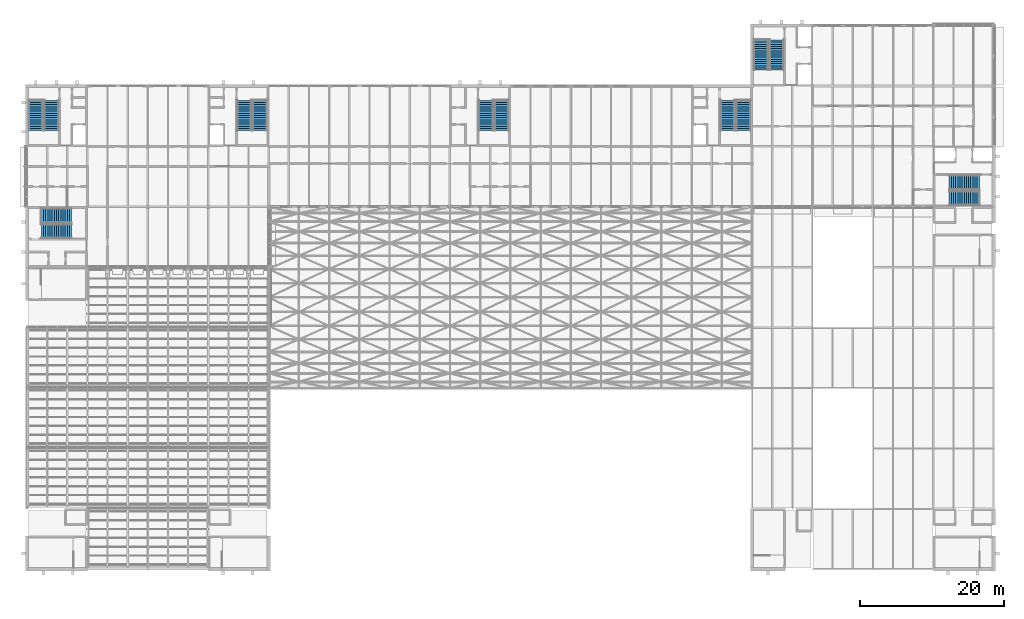
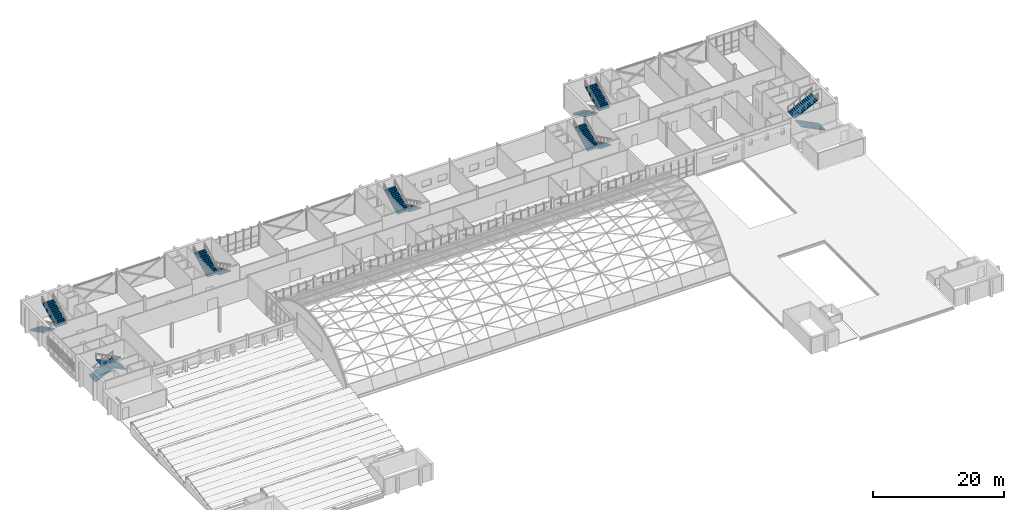
# One storey, part 92 of 121: 14 stair flights, 7 elements without a shape of their own.
"""IFC4 building model written with IfcOpenShell, lengths in metres."""

from ifc_helpers import new_model, si_unit, direction, frame, origin, place, context, subcontext, project, spatial, polyline, outline, extrude, material, type_object, element, aggregate, save


model = new_model("IFC4")

# Units and contexts
model_context = context("Model", 3, precision=1e-05, world=origin(), true_north=direction((0.0, 1.0)))
body_context = subcontext(model_context, "Body", "Model", "MODEL_VIEW")
ifc_project = project(units=[si_unit("LENGTHUNIT", "METRE"), si_unit("AREAUNIT", "SQUARE_METRE"), si_unit("VOLUMEUNIT", "CUBIC_METRE"), si_unit("PLANEANGLEUNIT", "RADIAN"), si_unit("MASSUNIT", "GRAM", prefix="KILO")], contexts=[model_context])

# Site, building, storey
site_placement = place(None, origin())
site = spatial("IfcSite", under=ifc_project, at=site_placement, CompositionType="ELEMENT")
building_placement = place(site_placement, origin())
building = spatial("IfcBuilding", under=site, at=building_placement, Name="Ardhachandra Cancer Care Centre", CompositionType="ELEMENT")
storey_placement = place(building_placement, frame((0.0, 0.0, 9.0)))
storey = spatial("IfcBuildingStorey", under=building, at=storey_placement, Name="L02", CompositionType="ELEMENT", Elevation=9.0)

# Stair, stair flights
ifc_material_1 = material(Name="Concrete M40", Category="concrete")
stair_type = type_object("IfcStairType", Name="Dog-leg stair 2000", PredefinedType="HALF_TURN_STAIR", material=ifc_material_1)
stair_1_placement = place(storey_placement, origin())
stair_1 = element("IfcStair", 1, at=stair_1_placement, inside=storey, type_object=stair_type, Name="Stair K4 L02-L03", PredefinedType="HALF_TURN_STAIR")
ifc_material_2 = material(Name="Concrete M40", Category="concrete")
stair_flight_type = type_object("IfcStairFlightType", Name="Stair flight 2000", PredefinedType="STRAIGHT", material=ifc_material_2)
stair_flight_1_placement = place(storey_placement, frame((12.02490234375, 94.60009765625, 0.0), z_axis=(0.0, 0.0, 1.0), x_axis=(0.0, -1.0, 0.0)))
stair_flight_1 = element("IfcStairFlight", 2, at=stair_flight_1_placement, type_object=stair_flight_type, Name="stair K4 L02-L03 flight 1", NumberOfRisers=15, NumberOfTreads=14, PredefinedType="STRAIGHT", RiserHeight=0.15, TreadLength=0.3, context=body_context, shape_type="SweptSolid", body=[
    extrude(outline(polyline([(0.0, 0.0), (0.0, 0.14990234375), (0.300048828125, 0.14990234375), (0.300048828125, 0.300048828125), (0.60009765625, 0.300048828125), (0.60009765625, 0.449951171875), (0.89990234375, 0.449951171875), (0.89990234375, 0.60009765625), (1.199951171875, 0.60009765625), (1.199951171875, 0.75), (1.5, 0.75), (1.5, 0.89990234375), (1.800048828125, 0.89990234375), (1.800048828125, 1.050048828125), (2.10009765625, 1.050048828125), (2.10009765625, 1.199951171875), (2.39990234375, 1.199951171875), (2.39990234375, 1.35009765625), (2.699951171875, 1.35009765625), (2.699951171875, 1.5), (3.0, 1.5), (3.0, 1.64990234375), (3.300048828125, 1.64990234375), (3.300048828125, 1.800048828125), (3.60009765625, 1.800048828125), (3.60009765625, 1.949951171875), (3.89990234375, 1.949951171875), (3.89990234375, 2.10009765625), (4.199951171875, 2.10009765625), (4.199951171875, 2.25), (4.199951171875, 1.932373046875), (0.335205078125, 0.0), (0.0, 0.0)])), frame((0.0, 1.0, 0.0), z_axis=(0.0, -1.0, 0.0), x_axis=(1.0, 0.0, 0.0)), (0.0, 0.0, 1.0), 2.0),
])
stair_flight_2_placement = place(storey_placement, frame((14.22509765625, 90.39990234375, 2.25), z_axis=(0.0, 0.0, 1.0), x_axis=(0.0, 1.0, 0.0)))
stair_flight_2 = element("IfcStairFlight", 3, at=stair_flight_2_placement, type_object=stair_flight_type, Name="stair K4 L02-L03 flight 2", NumberOfRisers=15, NumberOfTreads=14, PredefinedType="STRAIGHT", RiserHeight=0.15, TreadLength=0.3, context=body_context, shape_type="SweptSolid", body=[
    extrude(outline(polyline([(0.0, 0.0), (0.0, 0.14990234375), (0.300048828125, 0.14990234375), (0.300048828125, 0.300048828125), (0.60009765625, 0.300048828125), (0.60009765625, 0.449951171875), (0.89990234375, 0.449951171875), (0.89990234375, 0.60009765625), (1.199951171875, 0.60009765625), (1.199951171875, 0.75), (1.5, 0.75), (1.5, 0.89990234375), (1.800048828125, 0.89990234375), (1.800048828125, 1.050048828125), (2.10009765625, 1.050048828125), (2.10009765625, 1.199951171875), (2.39990234375, 1.199951171875), (2.39990234375, 1.35009765625), (2.699951171875, 1.35009765625), (2.699951171875, 1.5), (3.0, 1.5), (3.0, 1.64990234375), (3.300048828125, 1.64990234375), (3.300048828125, 1.800048828125), (3.60009765625, 1.800048828125), (3.60009765625, 1.949951171875), (3.89990234375, 1.949951171875), (3.89990234375, 2.10009765625), (4.199951171875, 2.10009765625), (4.199951171875, 2.25), (4.199951171875, 1.932373046875), (0.335205078125, 0.0), (0.0, 0.0)])), frame((0.0, 1.0, 0.0), z_axis=(0.0, -1.0, 0.0), x_axis=(1.0, 0.0, 0.0)), (0.0, 0.0, 1.0), 2.0),
])
aggregate(stair_1, [stair_flight_1, stair_flight_2])

stair_2_placement = place(storey_placement, origin())
stair_2 = element("IfcStair", 4, at=stair_2_placement, inside=storey, type_object=stair_type, Name="Stair K5 L02-L03", PredefinedType="HALF_TURN_STAIR")
stair_flight_3_placement = place(storey_placement, frame((43.199951171875, 94.60009765625, 0.0), z_axis=(0.0, 0.0, 1.0), x_axis=(0.0, -1.0, 0.0)))
stair_flight_3 = element("IfcStairFlight", 5, at=stair_flight_3_placement, type_object=stair_flight_type, Name="stair K5 L02-L03 flight 1", NumberOfRisers=15, NumberOfTreads=14, PredefinedType="STRAIGHT", RiserHeight=0.15, TreadLength=0.3, context=body_context, shape_type="SweptSolid", body=[
    extrude(outline(polyline([(0.0, 0.0), (0.0, 0.14990234375), (0.300048828125, 0.14990234375), (0.300048828125, 0.300048828125), (0.60009765625, 0.300048828125), (0.60009765625, 0.449951171875), (0.89990234375, 0.449951171875), (0.89990234375, 0.60009765625), (1.199951171875, 0.60009765625), (1.199951171875, 0.75), (1.5, 0.75), (1.5, 0.89990234375), (1.800048828125, 0.89990234375), (1.800048828125, 1.050048828125), (2.10009765625, 1.050048828125), (2.10009765625, 1.199951171875), (2.39990234375, 1.199951171875), (2.39990234375, 1.35009765625), (2.699951171875, 1.35009765625), (2.699951171875, 1.5), (3.0, 1.5), (3.0, 1.64990234375), (3.300048828125, 1.64990234375), (3.300048828125, 1.800048828125), (3.60009765625, 1.800048828125), (3.60009765625, 1.949951171875), (3.89990234375, 1.949951171875), (3.89990234375, 2.10009765625), (4.199951171875, 2.10009765625), (4.199951171875, 2.25), (4.199951171875, 1.932373046875), (0.335205078125, 0.0), (0.0, 0.0)])), frame((0.0, 1.0, 0.0), z_axis=(0.0, -1.0, 0.0), x_axis=(1.0, 0.0, 0.0)), (0.0, 0.0, 1.0), 2.0),
])
stair_flight_4_placement = place(storey_placement, frame((41.0, 90.39990234375, 2.25), z_axis=(0.0, 0.0, 1.0), x_axis=(0.0, 1.0, 0.0)))
stair_flight_4 = element("IfcStairFlight", 6, at=stair_flight_4_placement, type_object=stair_flight_type, Name="stair K5 L02-L03 flight 2", NumberOfRisers=15, NumberOfTreads=14, PredefinedType="STRAIGHT", RiserHeight=0.15, TreadLength=0.3, context=body_context, shape_type="SweptSolid", body=[
    extrude(outline(polyline([(0.0, 0.0), (0.0, 0.14990234375), (0.300048828125, 0.14990234375), (0.300048828125, 0.300048828125), (0.60009765625, 0.300048828125), (0.60009765625, 0.449951171875), (0.89990234375, 0.449951171875), (0.89990234375, 0.60009765625), (1.199951171875, 0.60009765625), (1.199951171875, 0.75), (1.5, 0.75), (1.5, 0.89990234375), (1.800048828125, 0.89990234375), (1.800048828125, 1.050048828125), (2.10009765625, 1.050048828125), (2.10009765625, 1.199951171875), (2.39990234375, 1.199951171875), (2.39990234375, 1.35009765625), (2.699951171875, 1.35009765625), (2.699951171875, 1.5), (3.0, 1.5), (3.0, 1.64990234375), (3.300048828125, 1.64990234375), (3.300048828125, 1.800048828125), (3.60009765625, 1.800048828125), (3.60009765625, 1.949951171875), (3.89990234375, 1.949951171875), (3.89990234375, 2.10009765625), (4.199951171875, 2.10009765625), (4.199951171875, 2.25), (4.199951171875, 1.932373046875), (0.335205078125, 0.0), (0.0, 0.0)])), frame((0.0, 1.0, 0.0), z_axis=(0.0, -1.0, 0.0), x_axis=(1.0, 0.0, 0.0)), (0.0, 0.0, 1.0), 2.0),
])
aggregate(stair_2, [stair_flight_3, stair_flight_4])

stair_3_placement = place(storey_placement, origin())
stair_3 = element("IfcStair", 7, at=stair_3_placement, inside=storey, type_object=stair_type, Name="Stair K6 L02-L03", PredefinedType="HALF_TURN_STAIR")
stair_flight_5_placement = place(storey_placement, frame((12.800048828125, 78.60009765625, 0.0), z_axis=(0.0, 0.0, 1.0), x_axis=(1.0, 0.0, 0.0)))
stair_flight_5 = element("IfcStairFlight", 8, at=stair_flight_5_placement, type_object=stair_flight_type, Name="stair K6 L02-L03 flight 1", NumberOfRisers=15, NumberOfTreads=14, PredefinedType="STRAIGHT", RiserHeight=0.15, TreadLength=0.3, context=body_context, shape_type="SweptSolid", body=[
    extrude(outline(polyline([(0.0, 0.0), (0.0, 0.14990234375), (0.300048828125, 0.14990234375), (0.300048828125, 0.300048828125), (0.60009765625, 0.300048828125), (0.60009765625, 0.449951171875), (0.89990234375, 0.449951171875), (0.89990234375, 0.60009765625), (1.199951171875, 0.60009765625), (1.199951171875, 0.75), (1.5, 0.75), (1.5, 0.89990234375), (1.800048828125, 0.89990234375), (1.800048828125, 1.050048828125), (2.10009765625, 1.050048828125), (2.10009765625, 1.199951171875), (2.39990234375, 1.199951171875), (2.39990234375, 1.35009765625), (2.699951171875, 1.35009765625), (2.699951171875, 1.5), (3.0, 1.5), (3.0, 1.64990234375), (3.300048828125, 1.64990234375), (3.300048828125, 1.800048828125), (3.60009765625, 1.800048828125), (3.60009765625, 1.949951171875), (3.89990234375, 1.949951171875), (3.89990234375, 2.10009765625), (4.199951171875, 2.10009765625), (4.199951171875, 2.25), (4.199951171875, 1.932373046875), (0.335205078125, 0.0), (0.0, 0.0)])), frame((0.0, 1.0, 0.0), z_axis=(0.0, -1.0, 0.0), x_axis=(1.0, 0.0, 0.0)), (0.0, 0.0, 1.0), 2.0),
])
stair_flight_6_placement = place(storey_placement, frame((17.0, 76.39990234375, 2.25), z_axis=(0.0, 0.0, 1.0), x_axis=(-1.0, 0.0, 0.0)))
stair_flight_6 = element("IfcStairFlight", 9, at=stair_flight_6_placement, type_object=stair_flight_type, Name="stair K6 L02-L03 flight 2", NumberOfRisers=15, NumberOfTreads=14, PredefinedType="STRAIGHT", RiserHeight=0.15, TreadLength=0.3, context=body_context, shape_type="SweptSolid", body=[
    extrude(outline(polyline([(0.0, 0.0), (0.0, 0.14990234375), (0.300048828125, 0.14990234375), (0.300048828125, 0.300048828125), (0.60009765625, 0.300048828125), (0.60009765625, 0.449951171875), (0.89990234375, 0.449951171875), (0.89990234375, 0.60009765625), (1.199951171875, 0.60009765625), (1.199951171875, 0.75), (1.5, 0.75), (1.5, 0.89990234375), (1.800048828125, 0.89990234375), (1.800048828125, 1.050048828125), (2.10009765625, 1.050048828125), (2.10009765625, 1.199951171875), (2.39990234375, 1.199951171875), (2.39990234375, 1.35009765625), (2.699951171875, 1.35009765625), (2.699951171875, 1.5), (3.0, 1.5), (3.0, 1.64990234375), (3.300048828125, 1.64990234375), (3.300048828125, 1.800048828125), (3.60009765625, 1.800048828125), (3.60009765625, 1.949951171875), (3.89990234375, 1.949951171875), (3.89990234375, 2.10009765625), (4.199951171875, 2.10009765625), (4.199951171875, 2.25), (4.199951171875, 1.932373046875), (0.335205078125, 0.0), (0.0, 0.0)])), frame((0.0, 1.0, 0.0), z_axis=(0.0, -1.0, 0.0), x_axis=(1.0, 0.0, 0.0)), (0.0, 0.0, 1.0), 2.0),
])
aggregate(stair_3, [stair_flight_5, stair_flight_6])

stair_4_placement = place(storey_placement, origin())
stair_4 = element("IfcStair", 10, at=stair_4_placement, inside=storey, type_object=stair_type, Name="Stair K7 L02-L03", PredefinedType="HALF_TURN_STAIR")
stair_flight_7_placement = place(storey_placement, frame((110.39990234375, 94.60009765625, 0.0), z_axis=(0.0, 0.0, 1.0), x_axis=(0.0, -1.0, 0.0)))
stair_flight_7 = element("IfcStairFlight", 11, at=stair_flight_7_placement, type_object=stair_flight_type, Name="stair K7 L02-L03 flight 1", NumberOfRisers=15, NumberOfTreads=14, PredefinedType="STRAIGHT", RiserHeight=0.15, TreadLength=0.3, context=body_context, shape_type="SweptSolid", body=[
    extrude(outline(polyline([(0.0, 0.0), (0.0, 0.14990234375), (0.300048828125, 0.14990234375), (0.300048828125, 0.300048828125), (0.60009765625, 0.300048828125), (0.60009765625, 0.449951171875), (0.89990234375, 0.449951171875), (0.89990234375, 0.60009765625), (1.199951171875, 0.60009765625), (1.199951171875, 0.75), (1.5, 0.75), (1.5, 0.89990234375), (1.800048828125, 0.89990234375), (1.800048828125, 1.050048828125), (2.10009765625, 1.050048828125), (2.10009765625, 1.199951171875), (2.39990234375, 1.199951171875), (2.39990234375, 1.35009765625), (2.699951171875, 1.35009765625), (2.699951171875, 1.5), (3.0, 1.5), (3.0, 1.64990234375), (3.300048828125, 1.64990234375), (3.300048828125, 1.800048828125), (3.60009765625, 1.800048828125), (3.60009765625, 1.949951171875), (3.89990234375, 1.949951171875), (3.89990234375, 2.10009765625), (4.199951171875, 2.10009765625), (4.199951171875, 2.25), (4.199951171875, 1.932373046875), (0.335205078125, 0.0), (0.0, 0.0)])), frame((0.0, 1.0, 0.0), z_axis=(0.0, -1.0, 0.0), x_axis=(1.0, 0.0, 0.0)), (0.0, 0.0, 1.0), 2.0),
])
stair_flight_8_placement = place(storey_placement, frame((108.199951171875, 90.39990234375, 2.25), z_axis=(0.0, 0.0, 1.0), x_axis=(0.0, 1.0, 0.0)))
stair_flight_8 = element("IfcStairFlight", 12, at=stair_flight_8_placement, type_object=stair_flight_type, Name="stair K7 L02-L03 flight 2", NumberOfRisers=15, NumberOfTreads=14, PredefinedType="STRAIGHT", RiserHeight=0.15, TreadLength=0.3, context=body_context, shape_type="SweptSolid", body=[
    extrude(outline(polyline([(0.0, 0.0), (0.0, 0.14990234375), (0.300048828125, 0.14990234375), (0.300048828125, 0.300048828125), (0.60009765625, 0.300048828125), (0.60009765625, 0.449951171875), (0.89990234375, 0.449951171875), (0.89990234375, 0.60009765625), (1.199951171875, 0.60009765625), (1.199951171875, 0.75), (1.5, 0.75), (1.5, 0.89990234375), (1.800048828125, 0.89990234375), (1.800048828125, 1.050048828125), (2.10009765625, 1.050048828125), (2.10009765625, 1.199951171875), (2.39990234375, 1.199951171875), (2.39990234375, 1.35009765625), (2.699951171875, 1.35009765625), (2.699951171875, 1.5), (3.0, 1.5), (3.0, 1.64990234375), (3.300048828125, 1.64990234375), (3.300048828125, 1.800048828125), (3.60009765625, 1.800048828125), (3.60009765625, 1.949951171875), (3.89990234375, 1.949951171875), (3.89990234375, 2.10009765625), (4.199951171875, 2.10009765625), (4.199951171875, 2.25), (4.199951171875, 1.932373046875), (0.335205078125, 0.0), (0.0, 0.0)])), frame((0.0, 1.0, 0.0), z_axis=(0.0, -1.0, 0.0), x_axis=(1.0, 0.0, 0.0)), (0.0, 0.0, 1.0), 2.0),
])
aggregate(stair_4, [stair_flight_7, stair_flight_8])

stair_5_placement = place(storey_placement, origin())
stair_5 = element("IfcStair", 13, at=stair_5_placement, inside=storey, type_object=stair_type, Name="Stair K8 L02-L03", PredefinedType="HALF_TURN_STAIR")
stair_flight_9_placement = place(storey_placement, frame((76.800048828125, 94.60009765625, 0.0), z_axis=(0.0, 0.0, 1.0), x_axis=(0.0, -1.0, 0.0)))
stair_flight_9 = element("IfcStairFlight", 14, at=stair_flight_9_placement, type_object=stair_flight_type, Name="stair K8 L02-L03 flight 1", NumberOfRisers=15, NumberOfTreads=14, PredefinedType="STRAIGHT", RiserHeight=0.15, TreadLength=0.3, context=body_context, shape_type="SweptSolid", body=[
    extrude(outline(polyline([(0.0, 0.0), (0.0, 0.14990234375), (0.300048828125, 0.14990234375), (0.300048828125, 0.300048828125), (0.60009765625, 0.300048828125), (0.60009765625, 0.449951171875), (0.89990234375, 0.449951171875), (0.89990234375, 0.60009765625), (1.199951171875, 0.60009765625), (1.199951171875, 0.75), (1.5, 0.75), (1.5, 0.89990234375), (1.800048828125, 0.89990234375), (1.800048828125, 1.050048828125), (2.10009765625, 1.050048828125), (2.10009765625, 1.199951171875), (2.39990234375, 1.199951171875), (2.39990234375, 1.35009765625), (2.699951171875, 1.35009765625), (2.699951171875, 1.5), (3.0, 1.5), (3.0, 1.64990234375), (3.300048828125, 1.64990234375), (3.300048828125, 1.800048828125), (3.60009765625, 1.800048828125), (3.60009765625, 1.949951171875), (3.89990234375, 1.949951171875), (3.89990234375, 2.10009765625), (4.199951171875, 2.10009765625), (4.199951171875, 2.25), (4.199951171875, 1.932373046875), (0.335205078125, 0.0), (0.0, 0.0)])), frame((0.0, 1.0, 0.0), z_axis=(0.0, -1.0, 0.0), x_axis=(1.0, 0.0, 0.0)), (0.0, 0.0, 1.0), 2.0),
])
stair_flight_10_placement = place(storey_placement, frame((74.60009765625, 90.39990234375, 2.25), z_axis=(0.0, 0.0, 1.0), x_axis=(0.0, 1.0, 0.0)))
stair_flight_10 = element("IfcStairFlight", 15, at=stair_flight_10_placement, type_object=stair_flight_type, Name="stair K8 L02-L03 flight 2", NumberOfRisers=15, NumberOfTreads=14, PredefinedType="STRAIGHT", RiserHeight=0.15, TreadLength=0.3, context=body_context, shape_type="SweptSolid", body=[
    extrude(outline(polyline([(0.0, 0.0), (0.0, 0.14990234375), (0.300048828125, 0.14990234375), (0.300048828125, 0.300048828125), (0.60009765625, 0.300048828125), (0.60009765625, 0.449951171875), (0.89990234375, 0.449951171875), (0.89990234375, 0.60009765625), (1.199951171875, 0.60009765625), (1.199951171875, 0.75), (1.5, 0.75), (1.5, 0.89990234375), (1.800048828125, 0.89990234375), (1.800048828125, 1.050048828125), (2.10009765625, 1.050048828125), (2.10009765625, 1.199951171875), (2.39990234375, 1.199951171875), (2.39990234375, 1.35009765625), (2.699951171875, 1.35009765625), (2.699951171875, 1.5), (3.0, 1.5), (3.0, 1.64990234375), (3.300048828125, 1.64990234375), (3.300048828125, 1.800048828125), (3.60009765625, 1.800048828125), (3.60009765625, 1.949951171875), (3.89990234375, 1.949951171875), (3.89990234375, 2.10009765625), (4.199951171875, 2.10009765625), (4.199951171875, 2.25), (4.199951171875, 1.932373046875), (0.335205078125, 0.0), (0.0, 0.0)])), frame((0.0, 1.0, 0.0), z_axis=(0.0, -1.0, 0.0), x_axis=(1.0, 0.0, 0.0)), (0.0, 0.0, 1.0), 2.0),
])
aggregate(stair_5, [stair_flight_9, stair_flight_10])

stair_6_placement = place(storey_placement, origin())
stair_6 = element("IfcStair", 16, at=stair_6_placement, inside=storey, type_object=stair_type, Name="Stair K12 L02-L03", PredefinedType="HALF_TURN_STAIR")
stair_flight_11_placement = place(storey_placement, frame((112.824951171875, 103.0, 0.0), z_axis=(0.0, 0.0, 1.0), x_axis=(0.0, -1.0, 0.0)))
stair_flight_11 = element("IfcStairFlight", 17, at=stair_flight_11_placement, type_object=stair_flight_type, Name="stair K12 L02-L03 flight 1", NumberOfRisers=15, NumberOfTreads=14, PredefinedType="STRAIGHT", RiserHeight=0.15, TreadLength=0.3, context=body_context, shape_type="SweptSolid", body=[
    extrude(outline(polyline([(0.0, 0.0), (0.0, 0.14990234375), (0.300048828125, 0.14990234375), (0.300048828125, 0.300048828125), (0.60009765625, 0.300048828125), (0.60009765625, 0.449951171875), (0.89990234375, 0.449951171875), (0.89990234375, 0.60009765625), (1.199951171875, 0.60009765625), (1.199951171875, 0.75), (1.5, 0.75), (1.5, 0.89990234375), (1.800048828125, 0.89990234375), (1.800048828125, 1.050048828125), (2.10009765625, 1.050048828125), (2.10009765625, 1.199951171875), (2.39990234375, 1.199951171875), (2.39990234375, 1.35009765625), (2.699951171875, 1.35009765625), (2.699951171875, 1.5), (3.0, 1.5), (3.0, 1.64990234375), (3.300048828125, 1.64990234375), (3.300048828125, 1.800048828125), (3.60009765625, 1.800048828125), (3.60009765625, 1.949951171875), (3.89990234375, 1.949951171875), (3.89990234375, 2.10009765625), (4.199951171875, 2.10009765625), (4.199951171875, 2.25), (4.199951171875, 1.932373046875), (0.335205078125, 0.0), (0.0, 0.0)])), frame((0.0, 1.0, 0.0), z_axis=(0.0, -1.0, 0.0), x_axis=(1.0, 0.0, 0.0)), (0.0, 0.0, 1.0), 2.0),
])
stair_flight_12_placement = place(storey_placement, frame((115.02490234375, 98.800048828125, 2.25), z_axis=(0.0, 0.0, 1.0), x_axis=(0.0, 1.0, 0.0)))
stair_flight_12 = element("IfcStairFlight", 18, at=stair_flight_12_placement, type_object=stair_flight_type, Name="stair K12 L02-L03 flight 2", NumberOfRisers=15, NumberOfTreads=14, PredefinedType="STRAIGHT", RiserHeight=0.15, TreadLength=0.3, context=body_context, shape_type="SweptSolid", body=[
    extrude(outline(polyline([(0.0, 0.0), (0.0, 0.14990234375), (0.300048828125, 0.14990234375), (0.300048828125, 0.300048828125), (0.60009765625, 0.300048828125), (0.60009765625, 0.449951171875), (0.89990234375, 0.449951171875), (0.89990234375, 0.60009765625), (1.199951171875, 0.60009765625), (1.199951171875, 0.75), (1.5, 0.75), (1.5, 0.89990234375), (1.800048828125, 0.89990234375), (1.800048828125, 1.050048828125), (2.10009765625, 1.050048828125), (2.10009765625, 1.199951171875), (2.39990234375, 1.199951171875), (2.39990234375, 1.35009765625), (2.699951171875, 1.35009765625), (2.699951171875, 1.5), (3.0, 1.5), (3.0, 1.64990234375), (3.300048828125, 1.64990234375), (3.300048828125, 1.800048828125), (3.60009765625, 1.800048828125), (3.60009765625, 1.949951171875), (3.89990234375, 1.949951171875), (3.89990234375, 2.10009765625), (4.199951171875, 2.10009765625), (4.199951171875, 2.25), (4.199951171875, 1.932373046875), (0.335205078125, 0.0), (0.0, 0.0)])), frame((0.0, 1.0, 0.0), z_axis=(0.0, -1.0, 0.0), x_axis=(1.0, 0.0, 0.0)), (0.0, 0.0, 1.0), 2.0),
])
aggregate(stair_6, [stair_flight_11, stair_flight_12])

stair_7_placement = place(storey_placement, origin())
stair_7 = element("IfcStair", 19, at=stair_7_placement, inside=storey, type_object=stair_type, Name="Stair K13 L02-L03", PredefinedType="HALF_TURN_STAIR")
stair_flight_13_placement = place(storey_placement, frame((143.199951171875, 81.0, 0.0), z_axis=(0.0, 0.0, 1.0), x_axis=(-1.0, 0.0, 0.0)))
stair_flight_13 = element("IfcStairFlight", 20, at=stair_flight_13_placement, type_object=stair_flight_type, Name="stair K13 L02-L03 flight 1", NumberOfRisers=15, NumberOfTreads=14, PredefinedType="STRAIGHT", RiserHeight=0.15, TreadLength=0.3, context=body_context, shape_type="SweptSolid", body=[
    extrude(outline(polyline([(0.0, 0.0), (0.0, 0.14990234375), (0.300048828125, 0.14990234375), (0.300048828125, 0.300048828125), (0.60009765625, 0.300048828125), (0.60009765625, 0.449951171875), (0.89990234375, 0.449951171875), (0.89990234375, 0.60009765625), (1.199951171875, 0.60009765625), (1.199951171875, 0.75), (1.5, 0.75), (1.5, 0.89990234375), (1.800048828125, 0.89990234375), (1.800048828125, 1.050048828125), (2.10009765625, 1.050048828125), (2.10009765625, 1.199951171875), (2.39990234375, 1.199951171875), (2.39990234375, 1.35009765625), (2.699951171875, 1.35009765625), (2.699951171875, 1.5), (3.0, 1.5), (3.0, 1.64990234375), (3.300048828125, 1.64990234375), (3.300048828125, 1.800048828125), (3.60009765625, 1.800048828125), (3.60009765625, 1.949951171875), (3.89990234375, 1.949951171875), (3.89990234375, 2.10009765625), (4.199951171875, 2.10009765625), (4.199951171875, 2.25), (4.199951171875, 1.932373046875), (0.335205078125, 0.0), (0.0, 0.0)])), frame((0.0, 1.0, 0.0), z_axis=(0.0, -1.0, 0.0), x_axis=(1.0, 0.0, 0.0)), (0.0, 0.0, 1.0), 2.0),
])
stair_flight_14_placement = place(storey_placement, frame((139.0, 83.199951171875, 2.25), z_axis=(0.0, 0.0, 1.0), x_axis=(1.0, 0.0, 0.0)))
stair_flight_14 = element("IfcStairFlight", 21, at=stair_flight_14_placement, type_object=stair_flight_type, Name="stair K13 L02-L03 flight 2", NumberOfRisers=15, NumberOfTreads=14, PredefinedType="STRAIGHT", RiserHeight=0.15, TreadLength=0.3, context=body_context, shape_type="SweptSolid", body=[
    extrude(outline(polyline([(0.0, 0.0), (0.0, 0.14990234375), (0.300048828125, 0.14990234375), (0.300048828125, 0.300048828125), (0.60009765625, 0.300048828125), (0.60009765625, 0.449951171875), (0.89990234375, 0.449951171875), (0.89990234375, 0.60009765625), (1.199951171875, 0.60009765625), (1.199951171875, 0.75), (1.5, 0.75), (1.5, 0.89990234375), (1.800048828125, 0.89990234375), (1.800048828125, 1.050048828125), (2.10009765625, 1.050048828125), (2.10009765625, 1.199951171875), (2.39990234375, 1.199951171875), (2.39990234375, 1.35009765625), (2.699951171875, 1.35009765625), (2.699951171875, 1.5), (3.0, 1.5), (3.0, 1.64990234375), (3.300048828125, 1.64990234375), (3.300048828125, 1.800048828125), (3.60009765625, 1.800048828125), (3.60009765625, 1.949951171875), (3.89990234375, 1.949951171875), (3.89990234375, 2.10009765625), (4.199951171875, 2.10009765625), (4.199951171875, 2.25), (4.199951171875, 1.932373046875), (0.335205078125, 0.0), (0.0, 0.0)])), frame((0.0, 1.0, 0.0), z_axis=(0.0, -1.0, 0.0), x_axis=(1.0, 0.0, 0.0)), (0.0, 0.0, 1.0), 2.0),
])
aggregate(stair_7, [stair_flight_13, stair_flight_14])

save(model, "model.ifc")
